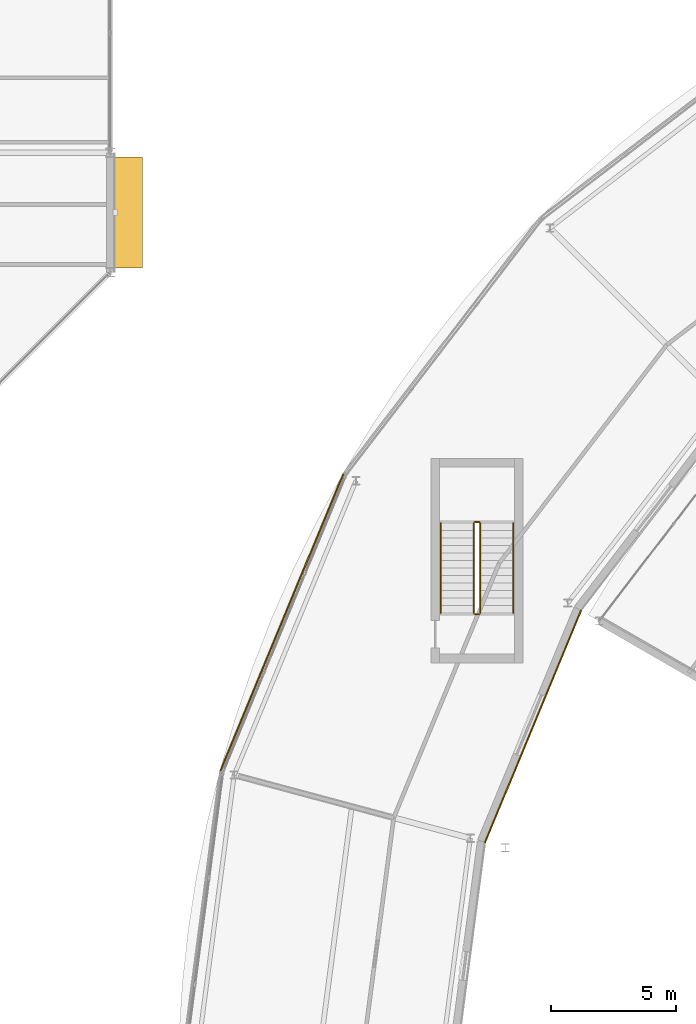
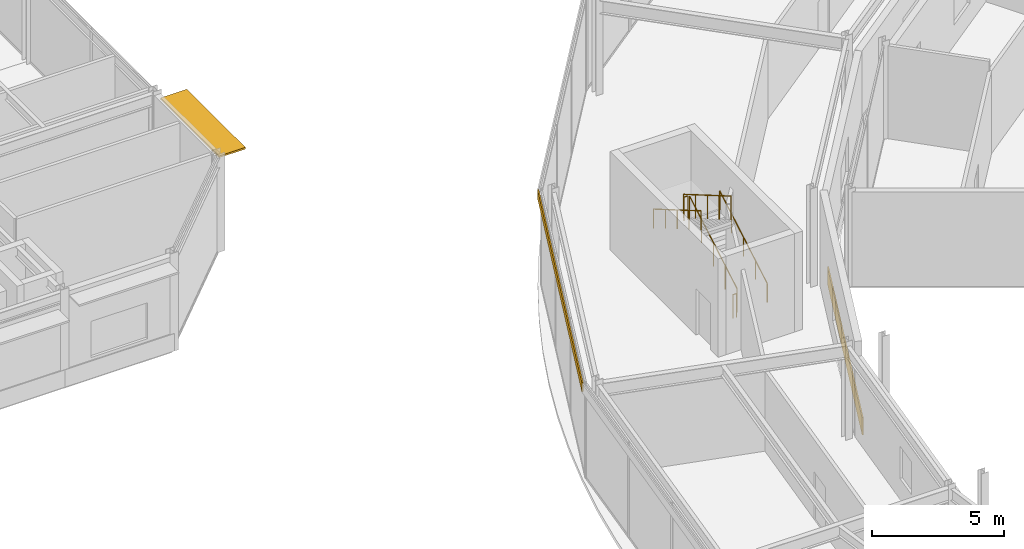
# One storey, part 104 of 116: 6 railings, 2 coverings, 1 shading device.
"""IFC4 building model written with IfcOpenShell, lengths in metres."""

import ifcopenshell
import ifcopenshell.guid

model = None  # the IFC model being written
_history = None  # IfcOwnerHistory: only IFC2X3 demands one
_inside = {}  # id of a spatial element -> (the spatial element, [elements in it])
_under = {}  # id of a project, library or spatial element -> (it, [spatial elements below it])
_declared = {}  # id of a project -> (the project, [libraries it declares])
_typed = {}  # id of a type object -> (the type object, [elements of that type])
_made_of = {}  # id of a material, layer set ... -> (it, [elements and type objects made of it])


def new_model(schema):
    """Start an empty IFC model of exactly this schema.

    Asked for "IFC4X3", IfcOpenShell would pick the latest addendum, in which some entities
    have other attributes; the version numbers below select the first issue.
    IFC2X3 requires an IfcOwnerHistory on every rooted entity: one is made here for all.
    """
    global model, _history
    if schema == "IFC4X3":
        model = ifcopenshell.file(schema_version=(4, 3, 0, 0))
    else:
        model = ifcopenshell.file(schema=schema)
    _inside.clear()
    _under.clear()
    _declared.clear()
    _typed.clear()
    _made_of.clear()
    _history = None
    if model.schema == "IFC2X3":
        org = make("IfcOrganization", Name="unknown")
        user = make(
            "IfcPersonAndOrganization",
            ThePerson=make("IfcPerson", FamilyName="unknown"),
            TheOrganization=org,
        )
        app = make(
            "IfcApplication",
            ApplicationDeveloper=org,
            Version="unknown",
            ApplicationFullName="unknown",
            ApplicationIdentifier="unknown",
        )
        _history = make(
            "IfcOwnerHistory",
            OwningUser=user,
            OwningApplication=app,
            ChangeAction="ADDED",
            CreationDate=0,
        )
    return model


def make(cls, **values):
    """One entity of the class cls with the attributes given. An attribute that is None is left unset."""
    return model.create_entity(
        cls, **{name: value for name, value in values.items() if value is not None}
    )


def rooted(cls, **values):
    """An entity with a GlobalId (a new one), such as an element, a storey or a relation."""
    return make(cls, GlobalId=ifcopenshell.guid.new(), OwnerHistory=_history, **values)


def si_unit(unit_type, name, prefix=None):
    """IfcSIUnit, for example si_unit("LENGTHUNIT", "METRE", prefix="MILLI")."""
    return make("IfcSIUnit", UnitType=unit_type, Prefix=prefix, Name=name)


def assignment(units):
    """IfcUnitAssignment: the units of a project."""
    return None if units is None else make("IfcUnitAssignment", Units=units)


def point(xyz):
    """IfcCartesianPoint."""
    return None if xyz is None else make("IfcCartesianPoint", Coordinates=xyz)


def direction(xyz):
    """IfcDirection."""
    return None if xyz is None else make("IfcDirection", DirectionRatios=xyz)


def frame(location, z_axis=None, x_axis=None):
    """IfcAxis2Placement3D, a coordinate frame: its origin and axes. An axis left out is left unset."""
    return make(
        "IfcAxis2Placement3D",
        Location=point(location),
        Axis=direction(z_axis),
        RefDirection=direction(x_axis),
    )


def frame_2d(location, x_axis=None):
    """IfcAxis2Placement2D, a coordinate frame in the plane: its origin and x axis."""
    return make(
        "IfcAxis2Placement2D", Location=point(location), RefDirection=direction(x_axis)
    )


def origin():
    """The frame at (0, 0, 0) with its axes left unset."""
    return frame((0.0, 0.0, 0.0))


def origin_2d():
    """The frame at (0, 0) in the plane with its x axis left unset."""
    return frame_2d((0.0, 0.0))


def place(relative_to, where):
    """IfcLocalPlacement: puts the frame where relative to a parent placement (None: the world)."""
    return make(
        "IfcLocalPlacement", PlacementRelTo=relative_to, RelativePlacement=where
    )


def context(
    kind, dimensions, precision=None, world=None, true_north=None, identifier=None
):
    """IfcGeometricRepresentationContext, for example the 3D "Model" context."""
    return make(
        "IfcGeometricRepresentationContext",
        ContextIdentifier=identifier,
        ContextType=kind,
        CoordinateSpaceDimension=dimensions,
        Precision=precision,
        WorldCoordinateSystem=world,
        TrueNorth=true_north,
    )


def subcontext(parent, identifier, kind, view, scale=None):
    """IfcGeometricRepresentationSubContext, for example "Body" below "Model"."""
    return make(
        "IfcGeometricRepresentationSubContext",
        ContextIdentifier=identifier,
        ContextType=kind,
        ParentContext=parent,
        TargetScale=scale,
        TargetView=view,
    )


def project(units=None, contexts=None):
    """IfcProject with its units and contexts."""
    return rooted(
        "IfcProject",
        Name="project",
        RepresentationContexts=contexts,
        UnitsInContext=assignment(units),
    )


def spatial(cls, under=None, at=None, **own):
    """A site, building, storey or space (cls), placed at a placement, below another one or the project."""
    s = rooted(cls, ObjectPlacement=at, **own)
    if under is not None:
        _under.setdefault(under.id(), (under, []))[1].append(s)
    return s


def profile(cls, at=None, kind="AREA", **sizes):
    """A parametric profile (cls). Its sizes go by their IFC names, for example OverallWidth=200.0."""
    return make(cls, ProfileType=kind, Position=at, **sizes)


def rectangle(**sizes):
    """IfcRectangleProfileDef."""
    return profile("IfcRectangleProfileDef", **sizes)


def circle(**sizes):
    """IfcCircleProfileDef."""
    return profile("IfcCircleProfileDef", **sizes)


def extrude(swept, where, along, depth):
    """IfcExtrudedAreaSolid: the profile swept, set in the frame where, extruded along a direction by depth."""
    return make(
        "IfcExtrudedAreaSolid",
        SweptArea=swept,
        Position=where,
        ExtrudedDirection=direction(along),
        Depth=depth,
    )


def shape(context_of_items, identifier, shape_type, items):
    """IfcShapeRepresentation: the items that make up one representation, for example the "Body"."""
    return make(
        "IfcShapeRepresentation",
        ContextOfItems=context_of_items,
        RepresentationIdentifier=identifier,
        RepresentationType=shape_type,
        Items=items,
    )


def material(Name=None, Category=None):
    """IfcMaterial."""
    return make("IfcMaterial", Name=Name, Category=Category)


def layer(
    of_material, thickness, ventilated=None, Name=None, Category=None, Priority=None
):
    """IfcMaterialLayer: one layer of a wall or slab, of a material (None: an air gap)."""
    return make(
        "IfcMaterialLayer",
        Material=of_material,
        LayerThickness=thickness,
        IsVentilated=ventilated,
        Name=Name,
        Category=Category,
        Priority=Priority,
    )


def layer_set(layers, Name=None):
    """IfcMaterialLayerSet."""
    return make("IfcMaterialLayerSet", MaterialLayers=layers, LayerSetName=Name)


def made_of(thing, what):
    """Note that an element or type object is made of a material, layer set ...; save() writes the relation."""
    if what is not None:
        _made_of.setdefault(what.id(), (what, []))[1].append(thing)
    return thing


def type_object(cls, material=None, **own):
    """A type object (cls), such as IfcWallType, which elements share."""
    return made_of(rooted(cls, **own), material)


def element(
    cls,
    number,
    at=None,
    inside=None,
    cuts=None,
    type_object=None,
    material=None,
    context=None,
    identifier="Body",
    shape_type=None,
    held_by="IfcProductDefinitionShape",
    body=None,
    shapes=None,
    **own,
):
    """One element of the class cls, such as IfcWall. Its Tag is "e" and its number.

    at: its placement. inside: the storey or other place that contains it. cuts: it is an
    opening in that element (IfcRelVoidsElement). A single representation is given by context,
    identifier, shape_type and body (its items); several are given by shapes. held_by: the class
    of the entity that holds the representations. save() writes the other relations.
    """
    e = rooted(cls, Tag="e%d" % number, ObjectPlacement=at, **own)
    if body is not None:
        shapes = [shape(context, identifier, shape_type, body)]
    if shapes is not None:
        e.Representation = make(held_by, Representations=shapes)
    if inside is not None:
        _inside.setdefault(inside.id(), (inside, []))[1].append(e)
    if cuts is not None:
        rooted(
            "IfcRelVoidsElement", RelatingBuildingElement=cuts, RelatedOpeningElement=e
        )
    if type_object is not None:
        _typed.setdefault(type_object.id(), (type_object, []))[1].append(e)
    return made_of(e, material)


def aggregate(whole, parts):
    """IfcRelAggregates: a whole, such as a stair, and the parts it consists of."""
    return rooted("IfcRelAggregates", RelatingObject=whole, RelatedObjects=parts)


def save(model, path):
    """Write the relations noted so far, then the file.

    IfcRelAggregates (storeys below a building ...), IfcRelContainedInSpatialStructure (elements
    in a storey), IfcRelDefinesByType, IfcRelAssociatesMaterial and IfcRelDeclares: one each for
    every whole, place, type object, material and project.
    """
    for whole, parts in _under.values():
        aggregate(whole, parts)
    for where, things in _inside.values():
        rooted(
            "IfcRelContainedInSpatialStructure",
            RelatedElements=things,
            RelatingStructure=where,
        )
    for kind, things in _typed.values():
        rooted("IfcRelDefinesByType", RelatedObjects=things, RelatingType=kind)
    for what, things in _made_of.values():
        rooted("IfcRelAssociatesMaterial", RelatedObjects=things, RelatingMaterial=what)
    for by, libraries in _declared.values():
        rooted("IfcRelDeclares", RelatingContext=by, RelatedDefinitions=libraries)
    model.write(path)


model = new_model("IFC4")

# Units and contexts
model_context = context("Model", 3, precision=1e-05, world=origin(), true_north=direction((0.0, 1.0)))
body_context = subcontext(model_context, "Body", "Model", "MODEL_VIEW")
ifc_project = project(units=[si_unit("LENGTHUNIT", "METRE"), si_unit("AREAUNIT", "SQUARE_METRE"), si_unit("VOLUMEUNIT", "CUBIC_METRE"), si_unit("PLANEANGLEUNIT", "RADIAN"), si_unit("MASSUNIT", "GRAM", prefix="KILO")], contexts=[model_context])

# Site, building, storey
site_placement = place(None, origin())
site = spatial("IfcSite", under=ifc_project, at=site_placement, CompositionType="ELEMENT")
building_placement = place(site_placement, origin())
building = spatial("IfcBuilding", under=site, at=building_placement, Name="Almandine Court Research Institute", CompositionType="ELEMENT")
storey_placement = place(building_placement, frame((0.0, 0.0, 14.35009765625)))
storey = spatial("IfcBuildingStorey", under=building, at=storey_placement, Name="L03", CompositionType="ELEMENT", Elevation=14.35009765625)

# Coverings
ifc_material_1 = material(Name="Extruded Cream-Ochre Seismic Terracotta Spandrel", Category="masonry")
ifc_layer_1 = layer(ifc_material_1, 0.054931640625)
ifc_layer_set_1 = layer_set([ifc_layer_1], Name="Extruded Cream-Ochre Seismic Terracotta Spandrel")
covering_type = type_object("IfcCoveringType", Name="Cov-CLAD-TERR", PredefinedType="CLADDING", material=ifc_layer_set_1)
covering_1_placement = place(storey_placement, frame((41.676025390625, 74.77392578125, 3.97998046875), z_axis=(0.0, 0.0, 1.0), x_axis=(0.382683432365, 0.923879532511, 0.0)))
element("IfcCovering", 1, at=covering_1_placement, inside=storey, type_object=covering_type, Name="L03 Drum Stacked Terracotta Ring Band 10", PredefinedType="CLADDING", context=body_context, shape_type="SweptSolid", body=[
    extrude(rectangle(XDim=12.8779296875, YDim=0.054931640625, at=origin_2d()), origin(), (0.0, 0.0, 1.0), 0.419921875),
])
covering_2_placement = place(storey_placement, frame((51.74609375, 70.60302734375, 0.02001953125), z_axis=(0.0, 0.0, 1.0), x_axis=(-0.382683432365, -0.923879532511, 0.0)))
element("IfcCovering", 2, at=covering_2_placement, inside=storey, type_object=covering_type, Name="L03 Facade Spandrel Cladding Band 395", PredefinedType="CLADDING", context=body_context, shape_type="SweptSolid", body=[
    extrude(rectangle(XDim=10.080078125, YDim=0.054931640625, at=origin_2d()), origin(), (0.0, 0.0, 1.0), 0.800048828125),
])

# Railings
ifc_material_2 = material(Name="Powder-Coated Steel Stair and Atrium Balustrade", Category="steel")
railing_type_1 = type_object("IfcRailingType", Name="Rail-GUARD-INT", PredefinedType="BALUSTRADE", material=ifc_material_2)
railing_1_placement = place(storey_placement, frame((49.6298828125, 75.14990234375, 0.1748046875)))
element("IfcRailing", 3, at=railing_1_placement, inside=storey, type_object=railing_type_1, Name="L03 ST-15 stair guard 1", PredefinedType="BALUSTRADE", context=body_context, shape_type="SweptSolid", body=[
    extrude(circle(Radius=0.02392578125, at=origin_2d()), frame((0.0, 0.0, 1.09619140625), z_axis=(0.0, 0.863774651768, 0.503878309678), x_axis=(-1.0, 0.0, 0.0)), (0.0, 0.0, 1.0), 4.16796875),
    extrude(circle(Radius=0.02099609375, at=origin_2d()), origin(), (0.0, 0.0, 1.0), 1.072021484375),
    extrude(circle(Radius=0.02099609375, at=origin_2d()), frame((0.0, 0.89990234375, 0.52490234375)), (0.0, 0.0, 1.0), 1.072021484375),
    extrude(circle(Radius=0.02099609375, at=origin_2d()), frame((0.0, 1.800048828125, 1.050048828125)), (0.0, 0.0, 1.0), 1.072021484375),
    extrude(circle(Radius=0.02099609375, at=origin_2d()), frame((0.0, 2.7001953125, 1.5751953125)), (0.0, 0.0, 1.0), 1.072021484375),
    extrude(circle(Radius=0.02099609375, at=origin_2d()), frame((0.0, 3.60009765625, 2.10009765625)), (0.0, 0.0, 1.0), 1.072021484375),
])
railing_2_placement = place(storey_placement, frame((49.580078125, 78.800048828125, 2.27490234375)))
element("IfcRailing", 4, at=railing_2_placement, inside=storey, type_object=railing_type_1, Name="L03 ST-15 stair guard 2", PredefinedType="BALUSTRADE", context=body_context, shape_type="SweptSolid", body=[
    extrude(circle(Radius=0.02392578125, at=origin_2d()), frame((0.0, 0.0, 1.09619140625), z_axis=(-1.0, 0.0, 0.0), x_axis=(0.0, -1.0, 0.0)), (0.0, 0.0, 1.0), 0.16015625),
    extrude(circle(Radius=0.02099609375, at=origin_2d()), origin(), (0.0, 0.0, 1.0), 1.072021484375),
    extrude(circle(Radius=0.02099609375, at=origin_2d()), frame((-0.16015625, 0.0, 0.0)), (0.0, 0.0, 1.0), 1.072021484375),
])
railing_3_placement = place(storey_placement, frame((49.3701171875, 78.75, 2.449951171875)))
element("IfcRailing", 5, at=railing_3_placement, inside=storey, type_object=railing_type_1, Name="L03 ST-15 stair guard 3", PredefinedType="BALUSTRADE", context=body_context, shape_type="SweptSolid", body=[
    extrude(circle(Radius=0.02392578125, at=origin_2d()), frame((0.0, 0.0, 1.09619140625), z_axis=(0.0, -0.863800146258, 0.503834603144), x_axis=(1.0, 0.0, 0.0)), (0.0, 0.0, 1.0), 4.167724609375),
    extrude(circle(Radius=0.02099609375, at=origin_2d()), origin(), (0.0, 0.0, 1.0), 1.072021484375),
    extrude(circle(Radius=0.02099609375, at=origin_2d()), frame((0.0, -0.89990234375, 0.52490234375)), (0.0, 0.0, 1.0), 1.072021484375),
    extrude(circle(Radius=0.02099609375, at=origin_2d()), frame((0.0, -1.800048828125, 1.0498046875)), (0.0, 0.0, 1.0), 1.072021484375),
    extrude(circle(Radius=0.02099609375, at=origin_2d()), frame((0.0, -2.7001953125, 1.574951171875)), (0.0, 0.0, 1.0), 1.072021484375),
    extrude(circle(Radius=0.02099609375, at=origin_2d()), frame((0.0, -3.60009765625, 2.099853515625)), (0.0, 0.0, 1.0), 1.072021484375),
])
railing_4_placement = place(storey_placement, frame((49.580078125, 75.10009765625, 0.0)))
element("IfcRailing", 6, at=railing_4_placement, inside=storey, type_object=railing_type_1, Name="L03 ST-15 stair guard 4", PredefinedType="BALUSTRADE", context=body_context, shape_type="SweptSolid", body=[
    extrude(circle(Radius=0.02392578125, at=origin_2d()), frame((0.0, 0.0, 1.09619140625), z_axis=(-1.0, 0.0, 0.0), x_axis=(0.0, -1.0, 0.0)), (0.0, 0.0, 1.0), 0.16015625),
    extrude(circle(Radius=0.02099609375, at=origin_2d()), origin(), (0.0, 0.0, 1.0), 1.072021484375),
    extrude(circle(Radius=0.02099609375, at=origin_2d()), frame((-0.16015625, 0.0, 0.0)), (0.0, 0.0, 1.0), 1.072021484375),
])
ifc_material_3 = material(Name="Brushed Stainless Steel Wall Handrail", Category="steel")
railing_type_2 = type_object("IfcRailingType", Name="Rail-HAND-INT", PredefinedType="HANDRAIL", material=ifc_material_3)
railing_5_placement = place(storey_placement, frame((50.949951171875, 75.14990234375, 0.1748046875)))
element("IfcRailing", 7, at=railing_5_placement, inside=storey, type_object=railing_type_2, Name="L03 ST-15 stair handrail 1", PredefinedType="HANDRAIL", context=body_context, shape_type="SweptSolid", body=[
    extrude(circle(Radius=0.02392578125, at=origin_2d()), frame((0.0, 0.0, 0.8759765625), z_axis=(0.0, 0.863774651768, 0.503878309678), x_axis=(-1.0, 0.0, 0.0)), (0.0, 0.0, 1.0), 4.16796875),
    extrude(circle(Radius=0.02099609375, at=origin_2d()), origin(), (0.0, 0.0, 1.0), 0.851806640625),
    extrude(circle(Radius=0.02099609375, at=origin_2d()), frame((0.0, 0.89990234375, 0.52490234375)), (0.0, 0.0, 1.0), 0.851806640625),
    extrude(circle(Radius=0.02099609375, at=origin_2d()), frame((0.0, 1.800048828125, 1.050048828125)), (0.0, 0.0, 1.0), 0.851806640625),
    extrude(circle(Radius=0.02099609375, at=origin_2d()), frame((0.0, 2.7001953125, 1.5751953125)), (0.0, 0.0, 1.0), 0.851806640625),
    extrude(circle(Radius=0.02099609375, at=origin_2d()), frame((0.0, 3.60009765625, 2.10009765625)), (0.0, 0.0, 1.0), 0.851806640625),
])
railing_6_placement = place(storey_placement, frame((48.050048828125, 78.75, 2.449951171875)))
element("IfcRailing", 8, at=railing_6_placement, inside=storey, type_object=railing_type_2, Name="L03 ST-15 stair handrail 2", PredefinedType="HANDRAIL", context=body_context, shape_type="SweptSolid", body=[
    extrude(circle(Radius=0.02392578125, at=origin_2d()), frame((0.0, 0.0, 0.8759765625), z_axis=(0.0, -0.863800146258, 0.503834603144), x_axis=(1.0, 0.0, 0.0)), (0.0, 0.0, 1.0), 4.167724609375),
    extrude(circle(Radius=0.02099609375, at=origin_2d()), origin(), (0.0, 0.0, 1.0), 0.851806640625),
    extrude(circle(Radius=0.02099609375, at=origin_2d()), frame((0.0, -0.89990234375, 0.52490234375)), (0.0, 0.0, 1.0), 0.851806640625),
    extrude(circle(Radius=0.02099609375, at=origin_2d()), frame((0.0, -1.800048828125, 1.0498046875)), (0.0, 0.0, 1.0), 0.851806640625),
    extrude(circle(Radius=0.02099609375, at=origin_2d()), frame((0.0, -2.7001953125, 1.574951171875)), (0.0, 0.0, 1.0), 0.851806640625),
    extrude(circle(Radius=0.02099609375, at=origin_2d()), frame((0.0, -3.60009765625, 2.099853515625)), (0.0, 0.0, 1.0), 0.851806640625),
])

# Shading device
ifc_material_4 = material(Name="Precast GFRC Chhajja Sunshade and Acoustic Louvre", Category="concrete")
ifc_layer_2 = layer(ifc_material_4, 0.080078125)
ifc_layer_set_2 = layer_set([ifc_layer_2], Name="Precast GFRC Chhajja Sunshade and Acoustic Louvre")
shading_device_type = type_object("IfcShadingDeviceType", Name="Shd-SD-27", PredefinedType="AWNING", material=ifc_layer_set_2)
shading_device_placement = place(storey_placement, frame((35.510009765625, 91.199951171875, 4.08984375), z_axis=(0.0, 0.0, 1.0), x_axis=(0.0, -1.0, 0.0)))
element("IfcShadingDevice", 9, at=shading_device_placement, inside=storey, type_object=shading_device_type, Name="L03 Projecting Chhajja Sunshade 40", PredefinedType="AWNING", context=body_context, shape_type="SweptSolid", body=[
    extrude(rectangle(XDim=4.44189453125, YDim=1.14990234375, at=origin_2d()), origin(), (0.0, 0.0, 1.0), 0.080078125),
])

save(model, "model.ifc")
